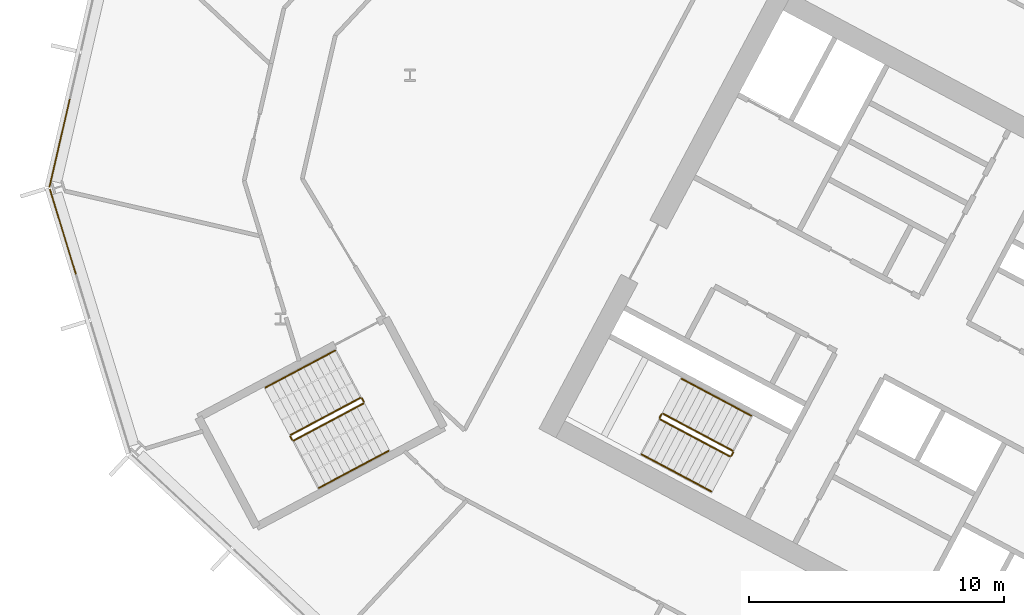
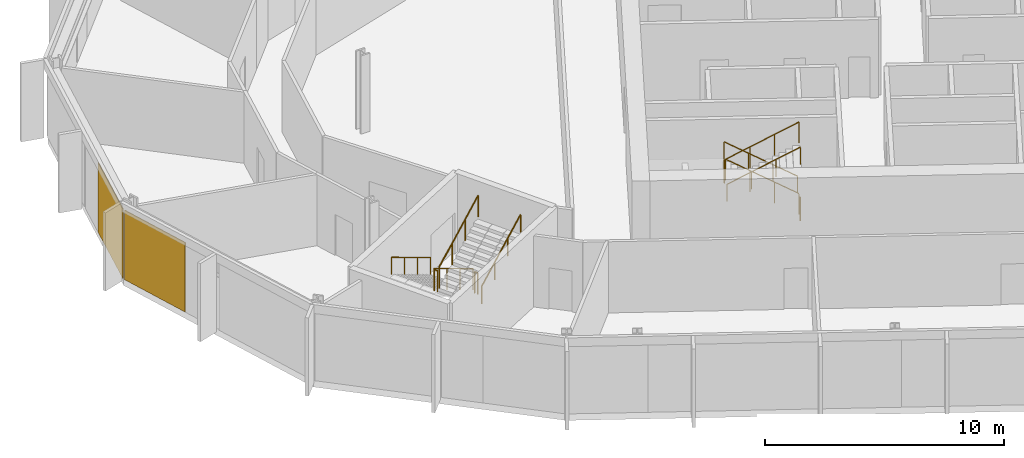
# One storey, part 21 of 28: 12 railings, 2 coverings, 2 elements without a shape of their own.
"""IFC4 building model written with IfcOpenShell, lengths in metres."""

from ifc_helpers import new_model, si_unit, direction, frame, origin, origin_2d, place, context, subcontext, project, spatial, polyline, rectangle, outline, extrude, material, layer, layer_set, type_object, element, aggregate, save


model = new_model("IFC4")

# Units and contexts
model_context = context("Model", 3, precision=1e-05, world=origin(), true_north=direction((0.0, 1.0)))
body_context = subcontext(model_context, "Body", "Model", "MODEL_VIEW")
ifc_project = project(units=[si_unit("LENGTHUNIT", "METRE"), si_unit("AREAUNIT", "SQUARE_METRE"), si_unit("VOLUMEUNIT", "CUBIC_METRE"), si_unit("PLANEANGLEUNIT", "RADIAN"), si_unit("MASSUNIT", "GRAM", prefix="KILO")], contexts=[model_context])

# Site, building, storey
site_placement = place(None, origin())
site = spatial("IfcSite", under=ifc_project, at=site_placement, CompositionType="ELEMENT")
building_placement = place(site_placement, origin())
building = spatial("IfcBuilding", under=site, at=building_placement, Name="Cormorant Relay Tower", CompositionType="ELEMENT")
storey_placement = place(building_placement, frame((0.0, 0.0, 150.199951171875)))
storey = spatial("IfcBuildingStorey", under=building, at=storey_placement, Name="L31", CompositionType="ELEMENT", Elevation=150.199951171875)

# Curtain wall, covering
ifc_material_1 = material(Name="Aluminium 6063-T6 anodised bronze", Category="aluminium")
ifc_layer_1 = layer(ifc_material_1, 0.199951171875)
ifc_layer_set_1 = layer_set([ifc_layer_1], Name="CW1 unitised bronze curtain wall with vertical fins")
curtain_wall_type = type_object("IfcCurtainWallType", Name="CW1 unitised bronze curtain wall with vertical fins", PredefinedType="NOTDEFINED", material=ifc_layer_set_1)
curtain_wall_1_placement = place(storey_placement, origin())
curtain_wall_1 = element("IfcCurtainWall", 1, at=curtain_wall_1_placement, inside=storey, type_object=curtain_wall_type, Name="CW1 curtain wall 13", PredefinedType="NOTDEFINED")
ifc_material_2 = material(Name="Pale bronze anodised aluminium insulated panel", Category="aluminium")
ifc_layer_2 = layer(ifc_material_2, 0.0400390625)
ifc_layer_set_2 = layer_set([ifc_layer_2], Name="CW1 pale bronze insulated panel 40")
covering_type = type_object("IfcCoveringType", Name="CW1 pale bronze insulated panel 40", PredefinedType="CLADDING", material=ifc_layer_set_2)
covering_1_placement = place(storey_placement, frame((-60.3388671875, 22.13232421875, 0.0), z_axis=(0.0, 0.0, 1.0), x_axis=(-0.224951054344, -0.974370064785, 0.0)))
covering_1 = element("IfcCovering", 2, at=covering_1_placement, type_object=covering_type, Name="CW1 panel S02", PredefinedType="CLADDING", context=body_context, shape_type="SweptSolid", body=[
    extrude(rectangle(XDim=3.560302734375, YDim=0.0400390625, at=origin_2d()), origin(), (0.0, 0.0, 1.0), 3.550048828125),
])
aggregate(curtain_wall_1, [covering_1])

curtain_wall_2_placement = place(storey_placement, origin())
curtain_wall_2 = element("IfcCurtainWall", 3, at=curtain_wall_2_placement, inside=storey, type_object=curtain_wall_type, Name="CW1 curtain wall 14", PredefinedType="NOTDEFINED")
covering_2_placement = place(storey_placement, frame((-60.20751953125, 18.6494140625, 0.0), z_axis=(0.0, 0.0, 1.0), x_axis=(0.292371704723, -0.956304755963, 0.0)))
covering_2 = element("IfcCovering", 4, at=covering_2_placement, type_object=covering_type, Name="CW1 panel S00", PredefinedType="CLADDING", context=body_context, shape_type="SweptSolid", body=[
    extrude(rectangle(XDim=3.485107421875, YDim=0.0400390625, at=origin_2d()), origin(), (0.0, 0.0, 1.0), 3.550048828125),
])
aggregate(curtain_wall_2, [covering_2])

# Railings
ifc_material_3 = material(Name="Steel ASTM A572 Grade 50 (Fy 345 MPa)", Category="steel")
railing_type_1 = type_object("IfcRailingType", Name="Stair guard 1100", PredefinedType="GUARDRAIL", material=ifc_material_3)
railing_1_placement = place(storey_placement, frame((-33.9921875, 10.08935546875, 0.166748046875)))
element("IfcRailing", 5, at=railing_1_placement, inside=storey, type_object=railing_type_1, Name="L31 A2 stair guard 1", PredefinedType="GUARDRAIL", context=body_context, shape_type="SweptSolid", body=[
    extrude(outline(polyline([(0.022216796875, 0.00927734375), (0.00927734375, 0.022216796875), (-0.00927734375, 0.022216796875), (-0.022216796875, 0.00927734375), (-0.022216796875, -0.00927734375), (-0.00927734375, -0.022216796875), (0.00927734375, -0.022216796875), (0.022216796875, -0.00927734375), (0.022216796875, 0.00927734375)])), frame((0.0, 0.0, 1.076171875), z_axis=(-0.758713656843, 0.403434867536, 0.511462505542), x_axis=(-0.469489399267, -0.882938108802, 0.0)), (0.0, 0.0, 1.0), 3.584228515625),
    extrude(outline(polyline([(0.019287109375, 0.008056640625), (0.008056640625, 0.019287109375), (-0.008056640625, 0.019287109375), (-0.019287109375, 0.008056640625), (-0.019287109375, -0.008056640625), (-0.008056640625, -0.019287109375), (0.008056640625, -0.019287109375), (0.019287109375, -0.008056640625), (0.019287109375, 0.008056640625)])), origin(), (0.0, 0.0, 1.0), 1.052001953125),
    extrude(outline(polyline([(0.019287109375, 0.008056640625), (0.008056640625, 0.019287109375), (-0.008056640625, 0.019287109375), (-0.019287109375, 0.008056640625), (-0.019287109375, -0.008056640625), (-0.008056640625, -0.019287109375), (0.008056640625, -0.019287109375), (0.019287109375, -0.008056640625), (0.019287109375, 0.008056640625)])), frame((-0.906494140625, 0.48193359375, 0.611083984375)), (0.0, 0.0, 1.0), 1.052001953125),
    extrude(outline(polyline([(0.019287109375, 0.008056640625), (0.008056640625, 0.019287109375), (-0.008056640625, 0.019287109375), (-0.019287109375, 0.008056640625), (-0.019287109375, -0.008056640625), (-0.008056640625, -0.019287109375), (0.008056640625, -0.019287109375), (0.019287109375, -0.008056640625), (0.019287109375, 0.008056640625)])), frame((-1.81298828125, 0.964111328125, 1.22216796875)), (0.0, 0.0, 1.0), 1.052001953125),
    extrude(outline(polyline([(0.019287109375, 0.008056640625), (0.008056640625, 0.019287109375), (-0.008056640625, 0.019287109375), (-0.019287109375, 0.008056640625), (-0.019287109375, -0.008056640625), (-0.008056640625, -0.019287109375), (0.008056640625, -0.019287109375), (0.019287109375, -0.008056640625), (0.019287109375, 0.008056640625)])), frame((-2.719482421875, 1.446044921875, 1.833251953125)), (0.0, 0.0, 1.0), 1.052001953125),
])
railing_2_placement = place(storey_placement, frame((-36.779296875, 11.5146484375, 2.0)))
element("IfcRailing", 6, at=railing_2_placement, inside=storey, type_object=railing_type_1, Name="L31 A2 stair guard 2", PredefinedType="GUARDRAIL", context=body_context, shape_type="SweptSolid", body=[
    extrude(outline(polyline([(0.022216796875, 0.00927734375), (0.00927734375, 0.022216796875), (-0.00927734375, 0.022216796875), (-0.022216796875, 0.00927734375), (-0.022216796875, -0.00927734375), (-0.00927734375, -0.022216796875), (0.00927734375, -0.022216796875), (0.022216796875, -0.00927734375), (0.022216796875, 0.00927734375)])), frame((0.0, 0.0, 1.076171875), z_axis=(-0.469234640946, -0.883073525669, 0.0), x_axis=(0.883073525669, -0.469234640946, 0.0)), (0.0, 0.0, 1.0), 0.14990234375),
    extrude(outline(polyline([(0.019287109375, 0.008056640625), (0.008056640625, 0.019287109375), (-0.008056640625, 0.019287109375), (-0.019287109375, 0.008056640625), (-0.019287109375, -0.008056640625), (-0.008056640625, -0.019287109375), (0.008056640625, -0.019287109375), (0.019287109375, -0.008056640625), (0.019287109375, 0.008056640625)])), origin(), (0.0, 0.0, 1.0), 1.052001953125),
    extrude(outline(polyline([(0.019287109375, 0.008056640625), (0.008056640625, 0.019287109375), (-0.008056640625, 0.019287109375), (-0.019287109375, 0.008056640625), (-0.019287109375, -0.008056640625), (-0.008056640625, -0.019287109375), (0.008056640625, -0.019287109375), (0.019287109375, -0.008056640625), (0.019287109375, 0.008056640625)])), frame((-0.0703125, -0.13232421875, 0.0)), (0.0, 0.0, 1.0), 1.052001953125),
])
railing_3_placement = place(storey_placement, frame((-36.8291015625, 11.314697265625, 2.166748046875)))
element("IfcRailing", 7, at=railing_3_placement, inside=storey, type_object=railing_type_1, Name="L31 A2 stair guard 3", PredefinedType="GUARDRAIL", context=body_context, shape_type="SweptSolid", body=[
    extrude(outline(polyline([(0.022216796875, 0.00927734375), (0.00927734375, 0.022216796875), (-0.00927734375, 0.022216796875), (-0.022216796875, 0.00927734375), (-0.022216796875, -0.00927734375), (-0.00927734375, -0.022216796875), (0.00927734375, -0.022216796875), (0.022216796875, -0.00927734375), (0.022216796875, 0.00927734375)])), frame((0.0, 0.0, 1.076171875), z_axis=(0.758713656843, -0.403434867536, 0.511462505542), x_axis=(0.469489399267, 0.882938108802, 0.0)), (0.0, 0.0, 1.0), 3.584228515625),
    extrude(outline(polyline([(0.019287109375, 0.008056640625), (0.008056640625, 0.019287109375), (-0.008056640625, 0.019287109375), (-0.019287109375, 0.008056640625), (-0.019287109375, -0.008056640625), (-0.008056640625, -0.019287109375), (0.008056640625, -0.019287109375), (0.019287109375, -0.008056640625), (0.019287109375, 0.008056640625)])), origin(), (0.0, 0.0, 1.0), 1.052001953125),
    extrude(outline(polyline([(0.019287109375, 0.008056640625), (0.008056640625, 0.019287109375), (-0.008056640625, 0.019287109375), (-0.019287109375, 0.008056640625), (-0.019287109375, -0.008056640625), (-0.008056640625, -0.019287109375), (0.008056640625, -0.019287109375), (0.019287109375, -0.008056640625), (0.019287109375, 0.008056640625)])), frame((0.906494140625, -0.48193359375, 0.611083984375)), (0.0, 0.0, 1.0), 1.052001953125),
    extrude(outline(polyline([(0.019287109375, 0.008056640625), (0.008056640625, 0.019287109375), (-0.008056640625, 0.019287109375), (-0.019287109375, 0.008056640625), (-0.019287109375, -0.008056640625), (-0.008056640625, -0.019287109375), (0.008056640625, -0.019287109375), (0.019287109375, -0.008056640625), (0.019287109375, 0.008056640625)])), frame((1.81298828125, -0.964111328125, 1.22216796875)), (0.0, 0.0, 1.0), 1.052001953125),
    extrude(outline(polyline([(0.019287109375, 0.008056640625), (0.008056640625, 0.019287109375), (-0.008056640625, 0.019287109375), (-0.019287109375, 0.008056640625), (-0.019287109375, -0.008056640625), (-0.008056640625, -0.019287109375), (0.008056640625, -0.019287109375), (0.019287109375, -0.008056640625), (0.019287109375, 0.008056640625)])), frame((2.719482421875, -1.446044921875, 1.833251953125)), (0.0, 0.0, 1.0), 1.052001953125),
])
railing_4_placement = place(storey_placement, frame((-33.971435546875, 10.021728515625, 0.0)))
element("IfcRailing", 8, at=railing_4_placement, inside=storey, type_object=railing_type_1, Name="L31 A2 stair guard 4", PredefinedType="GUARDRAIL", context=body_context, shape_type="SweptSolid", body=[
    extrude(outline(polyline([(0.022216796875, 0.00927734375), (0.00927734375, 0.022216796875), (-0.00927734375, 0.022216796875), (-0.022216796875, 0.00927734375), (-0.022216796875, -0.00927734375), (-0.00927734375, -0.022216796875), (0.00927734375, -0.022216796875), (0.022216796875, -0.00927734375), (0.022216796875, 0.00927734375)])), frame((0.0, 0.0, 1.076171875), z_axis=(-0.470503732759, -0.882398003998, 0.0), x_axis=(0.882398003998, -0.470503732759, 0.0)), (0.0, 0.0, 1.0), 0.14990234375),
    extrude(outline(polyline([(0.019287109375, 0.008056640625), (0.008056640625, 0.019287109375), (-0.008056640625, 0.019287109375), (-0.019287109375, 0.008056640625), (-0.019287109375, -0.008056640625), (-0.008056640625, -0.019287109375), (0.008056640625, -0.019287109375), (0.019287109375, -0.008056640625), (0.019287109375, 0.008056640625)])), origin(), (0.0, 0.0, 1.0), 1.052001953125),
    extrude(outline(polyline([(0.019287109375, 0.008056640625), (0.008056640625, 0.019287109375), (-0.008056640625, 0.019287109375), (-0.019287109375, 0.008056640625), (-0.019287109375, -0.008056640625), (-0.008056640625, -0.019287109375), (0.008056640625, -0.019287109375), (0.019287109375, -0.008056640625), (0.019287109375, 0.008056640625)])), frame((-0.070556640625, -0.13232421875, 0.0)), (0.0, 0.0, 1.0), 1.052001953125),
])
railing_5_placement = place(storey_placement, frame((-48.5693359375, 12.155517578125, 0.166748046875)))
element("IfcRailing", 9, at=railing_5_placement, inside=storey, type_object=railing_type_1, Name="L31 RP1 stair guard 1", PredefinedType="GUARDRAIL", context=body_context, shape_type="SweptSolid", body=[
    extrude(outline(polyline([(0.022216796875, 0.00927734375), (0.00927734375, 0.022216796875), (-0.00927734375, 0.022216796875), (-0.022216796875, 0.00927734375), (-0.022216796875, -0.00927734375), (-0.00927734375, -0.022216796875), (0.00927734375, -0.022216796875), (0.022216796875, -0.00927734375), (0.022216796875, 0.00927734375)])), frame((0.0, 0.0, 1.076171875), z_axis=(-0.758713656843, -0.403434867536, 0.511462505542), x_axis=(0.469489399267, -0.882938108802, 0.0)), (0.0, 0.0, 1.0), 3.584228515625),
    extrude(outline(polyline([(0.019287109375, 0.008056640625), (0.008056640625, 0.019287109375), (-0.008056640625, 0.019287109375), (-0.019287109375, 0.008056640625), (-0.019287109375, -0.008056640625), (-0.008056640625, -0.019287109375), (0.008056640625, -0.019287109375), (0.019287109375, -0.008056640625), (0.019287109375, 0.008056640625)])), origin(), (0.0, 0.0, 1.0), 1.052001953125),
    extrude(outline(polyline([(0.019287109375, 0.008056640625), (0.008056640625, 0.019287109375), (-0.008056640625, 0.019287109375), (-0.019287109375, 0.008056640625), (-0.019287109375, -0.008056640625), (-0.008056640625, -0.019287109375), (0.008056640625, -0.019287109375), (0.019287109375, -0.008056640625), (0.019287109375, 0.008056640625)])), frame((-0.906494140625, -0.48193359375, 0.611083984375)), (0.0, 0.0, 1.0), 1.052001953125),
    extrude(outline(polyline([(0.019287109375, 0.008056640625), (0.008056640625, 0.019287109375), (-0.008056640625, 0.019287109375), (-0.019287109375, 0.008056640625), (-0.019287109375, -0.008056640625), (-0.008056640625, -0.019287109375), (0.008056640625, -0.019287109375), (0.019287109375, -0.008056640625), (0.019287109375, 0.008056640625)])), frame((-1.81298828125, -0.964111328125, 1.22216796875)), (0.0, 0.0, 1.0), 1.052001953125),
    extrude(outline(polyline([(0.019287109375, 0.008056640625), (0.008056640625, 0.019287109375), (-0.008056640625, 0.019287109375), (-0.019287109375, 0.008056640625), (-0.019287109375, -0.008056640625), (-0.008056640625, -0.019287109375), (0.008056640625, -0.019287109375), (0.019287109375, -0.008056640625), (0.019287109375, 0.008056640625)])), frame((-2.719482421875, -1.446044921875, 1.833251953125)), (0.0, 0.0, 1.0), 1.052001953125),
])
railing_6_placement = place(storey_placement, frame((-51.3095703125, 10.641845703125, 2.0)))
element("IfcRailing", 10, at=railing_6_placement, inside=storey, type_object=railing_type_1, Name="L31 RP1 stair guard 2", PredefinedType="GUARDRAIL", context=body_context, shape_type="SweptSolid", body=[
    extrude(outline(polyline([(0.022216796875, 0.00927734375), (0.00927734375, 0.022216796875), (-0.00927734375, 0.022216796875), (-0.022216796875, 0.00927734375), (-0.022216796875, -0.00927734375), (-0.00927734375, -0.022216796875), (0.00927734375, -0.022216796875), (0.022216796875, -0.00927734375), (0.022216796875, 0.00927734375)])), frame((0.0, 0.0, 1.076171875), z_axis=(0.469828648786, -0.882757634224, 0.0), x_axis=(0.882757634224, 0.469828648786, 0.0)), (0.0, 0.0, 1.0), 0.150146484375),
    extrude(outline(polyline([(0.019287109375, 0.008056640625), (0.008056640625, 0.019287109375), (-0.008056640625, 0.019287109375), (-0.019287109375, 0.008056640625), (-0.019287109375, -0.008056640625), (-0.008056640625, -0.019287109375), (0.008056640625, -0.019287109375), (0.019287109375, -0.008056640625), (0.019287109375, 0.008056640625)])), origin(), (0.0, 0.0, 1.0), 1.052001953125),
    extrude(outline(polyline([(0.019287109375, 0.008056640625), (0.008056640625, 0.019287109375), (-0.008056640625, 0.019287109375), (-0.019287109375, 0.008056640625), (-0.019287109375, -0.008056640625), (-0.008056640625, -0.019287109375), (0.008056640625, -0.019287109375), (0.019287109375, -0.008056640625), (0.019287109375, 0.008056640625)])), frame((0.070556640625, -0.132568359375, 0.0)), (0.0, 0.0, 1.0), 1.052001953125),
])
railing_7_placement = place(storey_placement, frame((-51.17138671875, 10.48876953125, 2.166748046875)))
element("IfcRailing", 11, at=railing_7_placement, inside=storey, type_object=railing_type_1, Name="L31 RP1 stair guard 3", PredefinedType="GUARDRAIL", context=body_context, shape_type="SweptSolid", body=[
    extrude(outline(polyline([(0.022216796875, 0.00927734375), (0.00927734375, 0.022216796875), (-0.00927734375, 0.022216796875), (-0.022216796875, 0.00927734375), (-0.022216796875, -0.00927734375), (-0.00927734375, -0.022216796875), (0.00927734375, -0.022216796875), (0.022216796875, -0.00927734375), (0.022216796875, 0.00927734375)])), frame((0.0, 0.0, 1.076171875), z_axis=(0.758734504837, 0.403377838015, 0.511476559549), x_axis=(-0.469427602063, 0.882970965786, 0.0)), (0.0, 0.0, 1.0), 3.584228515625),
    extrude(outline(polyline([(0.019287109375, 0.008056640625), (0.008056640625, 0.019287109375), (-0.008056640625, 0.019287109375), (-0.019287109375, 0.008056640625), (-0.019287109375, -0.008056640625), (-0.008056640625, -0.019287109375), (0.008056640625, -0.019287109375), (0.019287109375, -0.008056640625), (0.019287109375, 0.008056640625)])), origin(), (0.0, 0.0, 1.0), 1.052001953125),
    extrude(outline(polyline([(0.019287109375, 0.008056640625), (0.008056640625, 0.019287109375), (-0.008056640625, 0.019287109375), (-0.019287109375, 0.008056640625), (-0.019287109375, -0.008056640625), (-0.008056640625, -0.019287109375), (0.008056640625, -0.019287109375), (0.019287109375, -0.008056640625), (0.019287109375, 0.008056640625)])), frame((0.906494140625, 0.48193359375, 0.611083984375)), (0.0, 0.0, 1.0), 1.052001953125),
    extrude(outline(polyline([(0.019287109375, 0.008056640625), (0.008056640625, 0.019287109375), (-0.008056640625, 0.019287109375), (-0.019287109375, 0.008056640625), (-0.019287109375, -0.008056640625), (-0.008056640625, -0.019287109375), (0.008056640625, -0.019287109375), (0.019287109375, -0.008056640625), (0.019287109375, 0.008056640625)])), frame((1.81298828125, 0.9638671875, 1.22216796875)), (0.0, 0.0, 1.0), 1.052001953125),
    extrude(outline(polyline([(0.019287109375, 0.008056640625), (0.008056640625, 0.019287109375), (-0.008056640625, 0.019287109375), (-0.019287109375, 0.008056640625), (-0.019287109375, -0.008056640625), (-0.008056640625, -0.019287109375), (0.008056640625, -0.019287109375), (0.019287109375, -0.008056640625), (0.019287109375, 0.008056640625)])), frame((2.719482421875, 1.44580078125, 1.833251953125)), (0.0, 0.0, 1.0), 1.052001953125),
])
railing_8_placement = place(storey_placement, frame((-48.501708984375, 12.134765625, 0.0)))
element("IfcRailing", 12, at=railing_8_placement, inside=storey, type_object=railing_type_1, Name="L31 RP1 stair guard 4", PredefinedType="GUARDRAIL", context=body_context, shape_type="SweptSolid", body=[
    extrude(outline(polyline([(0.022216796875, 0.00927734375), (0.00927734375, 0.022216796875), (-0.00927734375, 0.022216796875), (-0.022216796875, 0.00927734375), (-0.022216796875, -0.00927734375), (-0.00927734375, -0.022216796875), (0.00927734375, -0.022216796875), (0.022216796875, -0.00927734375), (0.022216796875, 0.00927734375)])), frame((0.0, 0.0, 1.076171875), z_axis=(0.46856034887, -0.8834314911, 0.0), x_axis=(0.8834314911, 0.46856034887, 0.0)), (0.0, 0.0, 1.0), 0.150146484375),
    extrude(outline(polyline([(0.019287109375, 0.008056640625), (0.008056640625, 0.019287109375), (-0.008056640625, 0.019287109375), (-0.019287109375, 0.008056640625), (-0.019287109375, -0.008056640625), (-0.008056640625, -0.019287109375), (0.008056640625, -0.019287109375), (0.019287109375, -0.008056640625), (0.019287109375, 0.008056640625)])), origin(), (0.0, 0.0, 1.0), 1.052001953125),
    extrude(outline(polyline([(0.019287109375, 0.008056640625), (0.008056640625, 0.019287109375), (-0.008056640625, 0.019287109375), (-0.019287109375, 0.008056640625), (-0.019287109375, -0.008056640625), (-0.008056640625, -0.019287109375), (0.008056640625, -0.019287109375), (0.019287109375, -0.008056640625), (0.019287109375, 0.008056640625)])), frame((0.0703125, -0.132568359375, 0.0)), (0.0, 0.0, 1.0), 1.052001953125),
])
ifc_material_4 = material(Name="Steel ASTM A572 Grade 50 (Fy 345 MPa)", Category="steel")
railing_type_2 = type_object("IfcRailingType", Name="Stair handrail 900", PredefinedType="HANDRAIL", material=ifc_material_4)
railing_9_placement = place(storey_placement, frame((-33.264404296875, 11.4580078125, 0.166748046875)))
element("IfcRailing", 13, at=railing_9_placement, inside=storey, type_object=railing_type_2, Name="L31 A2 stair handrail 1", PredefinedType="HANDRAIL", context=body_context, shape_type="SweptSolid", body=[
    extrude(outline(polyline([(0.022216796875, 0.00927734375), (0.00927734375, 0.022216796875), (-0.00927734375, 0.022216796875), (-0.022216796875, 0.00927734375), (-0.022216796875, -0.00927734375), (-0.00927734375, -0.022216796875), (0.00927734375, -0.022216796875), (0.022216796875, -0.00927734375), (0.022216796875, 0.00927734375)])), frame((0.0, 0.0, 0.8759765625), z_axis=(-0.758734504837, 0.403377838015, 0.511476559549), x_axis=(-0.469427602063, -0.882970965786, 0.0)), (0.0, 0.0, 1.0), 3.584228515625),
    extrude(outline(polyline([(0.019287109375, 0.008056640625), (0.008056640625, 0.019287109375), (-0.008056640625, 0.019287109375), (-0.019287109375, 0.008056640625), (-0.019287109375, -0.008056640625), (-0.008056640625, -0.019287109375), (0.008056640625, -0.019287109375), (0.019287109375, -0.008056640625), (0.019287109375, 0.008056640625)])), origin(), (0.0, 0.0, 1.0), 0.851806640625),
    extrude(outline(polyline([(0.019287109375, 0.008056640625), (0.008056640625, 0.019287109375), (-0.008056640625, 0.019287109375), (-0.019287109375, 0.008056640625), (-0.019287109375, -0.008056640625), (-0.008056640625, -0.019287109375), (0.008056640625, -0.019287109375), (0.019287109375, -0.008056640625), (0.019287109375, 0.008056640625)])), frame((-0.906494140625, 0.48193359375, 0.611083984375)), (0.0, 0.0, 1.0), 0.851806640625),
    extrude(outline(polyline([(0.019287109375, 0.008056640625), (0.008056640625, 0.019287109375), (-0.008056640625, 0.019287109375), (-0.019287109375, 0.008056640625), (-0.019287109375, -0.008056640625), (-0.008056640625, -0.019287109375), (0.008056640625, -0.019287109375), (0.019287109375, -0.008056640625), (0.019287109375, 0.008056640625)])), frame((-1.81298828125, 0.9638671875, 1.22216796875)), (0.0, 0.0, 1.0), 0.851806640625),
    extrude(outline(polyline([(0.019287109375, 0.008056640625), (0.008056640625, 0.019287109375), (-0.008056640625, 0.019287109375), (-0.019287109375, 0.008056640625), (-0.019287109375, -0.008056640625), (-0.008056640625, -0.019287109375), (0.008056640625, -0.019287109375), (0.019287109375, -0.008056640625), (0.019287109375, 0.008056640625)])), frame((-2.719482421875, 1.44580078125, 1.833251953125)), (0.0, 0.0, 1.0), 0.851806640625),
])
railing_10_placement = place(storey_placement, frame((-37.556640625, 9.946044921875, 2.166748046875)))
element("IfcRailing", 14, at=railing_10_placement, inside=storey, type_object=railing_type_2, Name="L31 A2 stair handrail 2", PredefinedType="HANDRAIL", context=body_context, shape_type="SweptSolid", body=[
    extrude(outline(polyline([(0.022216796875, 0.00927734375), (0.00927734375, 0.022216796875), (-0.00927734375, 0.022216796875), (-0.022216796875, 0.00927734375), (-0.022216796875, -0.00927734375), (-0.00927734375, -0.022216796875), (0.00927734375, -0.022216796875), (0.022216796875, -0.00927734375), (0.022216796875, 0.00927734375)])), frame((0.0, 0.0, 0.8759765625), z_axis=(0.758713656843, -0.403434867536, 0.511462505542), x_axis=(0.469489399267, 0.882938108802, 0.0)), (0.0, 0.0, 1.0), 3.584228515625),
    extrude(outline(polyline([(0.019287109375, 0.008056640625), (0.008056640625, 0.019287109375), (-0.008056640625, 0.019287109375), (-0.019287109375, 0.008056640625), (-0.019287109375, -0.008056640625), (-0.008056640625, -0.019287109375), (0.008056640625, -0.019287109375), (0.019287109375, -0.008056640625), (0.019287109375, 0.008056640625)])), origin(), (0.0, 0.0, 1.0), 0.851806640625),
    extrude(outline(polyline([(0.019287109375, 0.008056640625), (0.008056640625, 0.019287109375), (-0.008056640625, 0.019287109375), (-0.019287109375, 0.008056640625), (-0.019287109375, -0.008056640625), (-0.008056640625, -0.019287109375), (0.008056640625, -0.019287109375), (0.019287109375, -0.008056640625), (0.019287109375, 0.008056640625)])), frame((0.906494140625, -0.48193359375, 0.611083984375)), (0.0, 0.0, 1.0), 0.851806640625),
    extrude(outline(polyline([(0.019287109375, 0.008056640625), (0.008056640625, 0.019287109375), (-0.008056640625, 0.019287109375), (-0.019287109375, 0.008056640625), (-0.019287109375, -0.008056640625), (-0.008056640625, -0.019287109375), (0.008056640625, -0.019287109375), (0.019287109375, -0.008056640625), (0.019287109375, 0.008056640625)])), frame((1.81298828125, -0.964111328125, 1.22216796875)), (0.0, 0.0, 1.0), 0.851806640625),
    extrude(outline(polyline([(0.019287109375, 0.008056640625), (0.008056640625, 0.019287109375), (-0.008056640625, 0.019287109375), (-0.019287109375, 0.008056640625), (-0.019287109375, -0.008056640625), (-0.008056640625, -0.019287109375), (0.008056640625, -0.019287109375), (0.019287109375, -0.008056640625), (0.019287109375, 0.008056640625)])), frame((2.719482421875, -1.446044921875, 1.833251953125)), (0.0, 0.0, 1.0), 0.851806640625),
])
railing_11_placement = place(storey_placement, frame((-49.55517578125, 14.009521484375, 0.166748046875)))
element("IfcRailing", 15, at=railing_11_placement, inside=storey, type_object=railing_type_2, Name="L31 RP1 stair handrail 1", PredefinedType="HANDRAIL", context=body_context, shape_type="SweptSolid", body=[
    extrude(outline(polyline([(0.022216796875, 0.00927734375), (0.00927734375, 0.022216796875), (-0.00927734375, 0.022216796875), (-0.022216796875, 0.00927734375), (-0.022216796875, -0.00927734375), (-0.00927734375, -0.022216796875), (0.00927734375, -0.022216796875), (0.022216796875, -0.00927734375), (0.022216796875, 0.00927734375)])), frame((0.0, 0.0, 0.8759765625), z_axis=(-0.758734504837, -0.403377838015, 0.511476559549), x_axis=(0.469427602063, -0.882970965786, 0.0)), (0.0, 0.0, 1.0), 3.584228515625),
    extrude(outline(polyline([(0.019287109375, 0.008056640625), (0.008056640625, 0.019287109375), (-0.008056640625, 0.019287109375), (-0.019287109375, 0.008056640625), (-0.019287109375, -0.008056640625), (-0.008056640625, -0.019287109375), (0.008056640625, -0.019287109375), (0.019287109375, -0.008056640625), (0.019287109375, 0.008056640625)])), origin(), (0.0, 0.0, 1.0), 0.851806640625),
    extrude(outline(polyline([(0.019287109375, 0.008056640625), (0.008056640625, 0.019287109375), (-0.008056640625, 0.019287109375), (-0.019287109375, 0.008056640625), (-0.019287109375, -0.008056640625), (-0.008056640625, -0.019287109375), (0.008056640625, -0.019287109375), (0.019287109375, -0.008056640625), (0.019287109375, 0.008056640625)])), frame((-0.906494140625, -0.48193359375, 0.611083984375)), (0.0, 0.0, 1.0), 0.851806640625),
    extrude(outline(polyline([(0.019287109375, 0.008056640625), (0.008056640625, 0.019287109375), (-0.008056640625, 0.019287109375), (-0.019287109375, 0.008056640625), (-0.019287109375, -0.008056640625), (-0.008056640625, -0.019287109375), (0.008056640625, -0.019287109375), (0.019287109375, -0.008056640625), (0.019287109375, 0.008056640625)])), frame((-1.81298828125, -0.9638671875, 1.22216796875)), (0.0, 0.0, 1.0), 0.851806640625),
    extrude(outline(polyline([(0.019287109375, 0.008056640625), (0.008056640625, 0.019287109375), (-0.008056640625, 0.019287109375), (-0.019287109375, 0.008056640625), (-0.019287109375, -0.008056640625), (-0.008056640625, -0.019287109375), (0.008056640625, -0.019287109375), (0.019287109375, -0.008056640625), (0.019287109375, 0.008056640625)])), frame((-2.719482421875, -1.44580078125, 1.833251953125)), (0.0, 0.0, 1.0), 0.851806640625),
])
railing_12_placement = place(storey_placement, frame((-50.185546875, 8.634521484375, 2.166748046875)))
element("IfcRailing", 16, at=railing_12_placement, inside=storey, type_object=railing_type_2, Name="L31 RP1 stair handrail 2", PredefinedType="HANDRAIL", context=body_context, shape_type="SweptSolid", body=[
    extrude(outline(polyline([(0.022216796875, 0.00927734375), (0.00927734375, 0.022216796875), (-0.00927734375, 0.022216796875), (-0.022216796875, 0.00927734375), (-0.022216796875, -0.00927734375), (-0.00927734375, -0.022216796875), (0.00927734375, -0.022216796875), (0.022216796875, -0.00927734375), (0.022216796875, 0.00927734375)])), frame((0.0, 0.0, 0.8759765625), z_axis=(0.758713656843, 0.403434867536, 0.511462505542), x_axis=(-0.469489399267, 0.882938108802, 0.0)), (0.0, 0.0, 1.0), 3.584228515625),
    extrude(outline(polyline([(0.019287109375, 0.008056640625), (0.008056640625, 0.019287109375), (-0.008056640625, 0.019287109375), (-0.019287109375, 0.008056640625), (-0.019287109375, -0.008056640625), (-0.008056640625, -0.019287109375), (0.008056640625, -0.019287109375), (0.019287109375, -0.008056640625), (0.019287109375, 0.008056640625)])), origin(), (0.0, 0.0, 1.0), 0.851806640625),
    extrude(outline(polyline([(0.019287109375, 0.008056640625), (0.008056640625, 0.019287109375), (-0.008056640625, 0.019287109375), (-0.019287109375, 0.008056640625), (-0.019287109375, -0.008056640625), (-0.008056640625, -0.019287109375), (0.008056640625, -0.019287109375), (0.019287109375, -0.008056640625), (0.019287109375, 0.008056640625)])), frame((0.906494140625, 0.48193359375, 0.611083984375)), (0.0, 0.0, 1.0), 0.851806640625),
    extrude(outline(polyline([(0.019287109375, 0.008056640625), (0.008056640625, 0.019287109375), (-0.008056640625, 0.019287109375), (-0.019287109375, 0.008056640625), (-0.019287109375, -0.008056640625), (-0.008056640625, -0.019287109375), (0.008056640625, -0.019287109375), (0.019287109375, -0.008056640625), (0.019287109375, 0.008056640625)])), frame((1.81298828125, 0.964111328125, 1.22216796875)), (0.0, 0.0, 1.0), 0.851806640625),
    extrude(outline(polyline([(0.019287109375, 0.008056640625), (0.008056640625, 0.019287109375), (-0.008056640625, 0.019287109375), (-0.019287109375, 0.008056640625), (-0.019287109375, -0.008056640625), (-0.008056640625, -0.019287109375), (0.008056640625, -0.019287109375), (0.019287109375, -0.008056640625), (0.019287109375, 0.008056640625)])), frame((2.719482421875, 1.446044921875, 1.833251953125)), (0.0, 0.0, 1.0), 0.851806640625),
])

save(model, "model.ifc")
